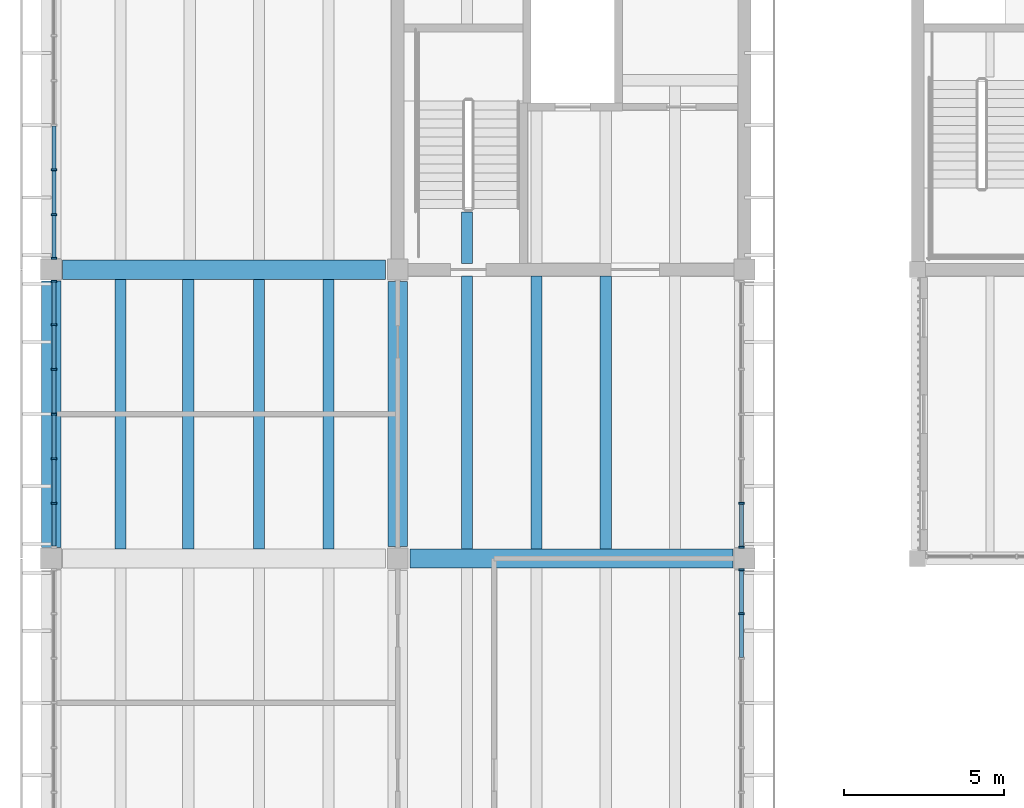
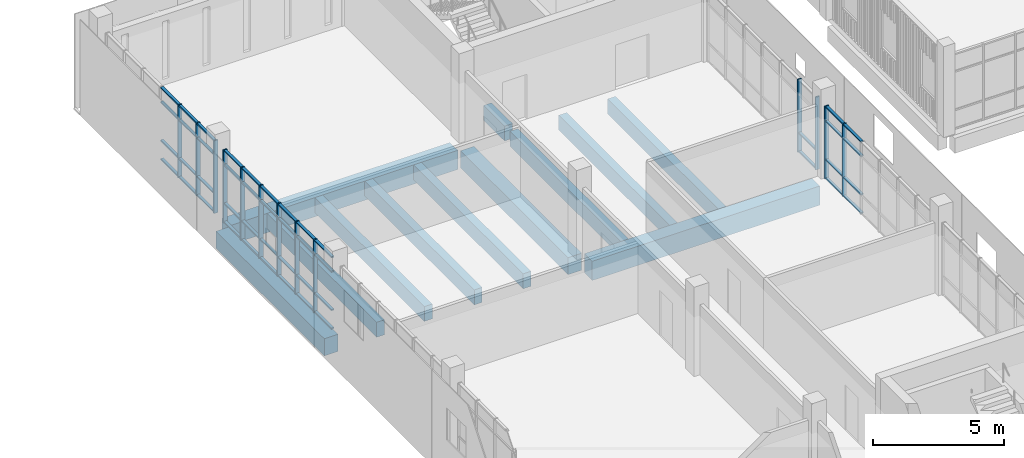
# One storey, part 20 of 92: 59 members, 12 beams, 4 elements without a shape of their own.
"""IFC4 building model written with IfcOpenShell, lengths in metres."""

from ifc_helpers import new_model, si_unit, direction, frame, origin, origin_2d, place, context, subcontext, project, spatial, rectangle, extrude, material, material_profile, profile_set, type_object, element, aggregate, save


model = new_model("IFC4")

# Units and contexts
model_context = context("Model", 3, precision=1e-05, world=origin(), true_north=direction((0.0, 1.0)))
body_context = subcontext(model_context, "Body", "Model", "MODEL_VIEW")
ifc_project = project(units=[si_unit("LENGTHUNIT", "METRE"), si_unit("AREAUNIT", "SQUARE_METRE"), si_unit("VOLUMEUNIT", "CUBIC_METRE"), si_unit("PLANEANGLEUNIT", "RADIAN"), si_unit("MASSUNIT", "GRAM", prefix="KILO")], contexts=[model_context])

# Site, building, storey
site_placement = place(None, origin())
site = spatial("IfcSite", under=ifc_project, at=site_placement, CompositionType="ELEMENT")
building_placement = place(site_placement, origin())
building = spatial("IfcBuilding", under=site, at=building_placement, Name="Merrow Basin Faculty of Sciences", CompositionType="ELEMENT")
storey_placement = place(building_placement, frame((0.0, 0.0, 4.5)))
storey = spatial("IfcBuildingStorey", under=building, at=storey_placement, Name="L01", CompositionType="ELEMENT", Elevation=4.5)

# Curtain wall, members
ifc_material_1 = material(Name="Aluminium alloy 6063", Category="aluminium")
curtain_wall_type = type_object("IfcCurtainWallType", Name="Bar unitised curtain wall 180", PredefinedType="NOTDEFINED", material=ifc_material_1)
curtain_wall_1_placement = place(storey_placement, origin())
curtain_wall_1 = element("IfcCurtainWall", 1, at=curtain_wall_1_placement, inside=storey, type_object=curtain_wall_type, Name="West curtain wall L01 6", PredefinedType="NOTDEFINED")
ifc_material_2 = material(Name="Aluminium alloy 6063", Category="aluminium")
ifc_material_profile_1 = material_profile(ifc_material_2, rectangle(XDim=0.179931640625, YDim=0.06005859375, at=origin_2d()))
ifc_profile_set_1 = profile_set([ifc_material_profile_1], Name="Aluminium alloy 6063")
member_type_1 = type_object("IfcMemberType", Name="Aluminium mullion 60x180", PredefinedType="MULLION", material=ifc_profile_set_1)
member_1_placement = place(storey_placement, frame((0.090087890625, 116.716552734375, 0.0), z_axis=(0.0, 0.0, 1.0), x_axis=(-1.0, 0.0, 0.0)))
member_1 = element("IfcMember", 2, at=member_1_placement, type_object=member_type_1, Name="CW1 mullion 2", PredefinedType="MULLION", context=body_context, shape_type="SweptSolid", body=[
    extrude(rectangle(XDim=0.179931640625, YDim=0.06005859375, at=origin_2d()), origin(), (0.0, 0.0, 1.0), 3.39990234375),
])
member_2_placement = place(storey_placement, frame((0.090087890625, 118.1083984375, 0.0), z_axis=(0.0, 0.0, 1.0), x_axis=(-1.0, 0.0, 0.0)))
member_2 = element("IfcMember", 3, at=member_2_placement, type_object=member_type_1, Name="CW1 mullion 3", PredefinedType="MULLION", context=body_context, shape_type="SweptSolid", body=[
    extrude(rectangle(XDim=0.179931640625, YDim=0.06005859375, at=origin_2d()), origin(), (0.0, 0.0, 1.0), 3.39990234375),
])
member_3_placement = place(storey_placement, frame((0.090087890625, 119.5, 0.0), z_axis=(0.0, 0.0, 1.0), x_axis=(-1.0, 0.0, 0.0)))
member_3 = element("IfcMember", 4, at=member_3_placement, type_object=member_type_1, Name="CW1 mullion 4", PredefinedType="MULLION", context=body_context, shape_type="SweptSolid", body=[
    extrude(rectangle(XDim=0.179931640625, YDim=0.06005859375, at=origin_2d()), origin(), (0.0, 0.0, 1.0), 3.39990234375),
])
member_4_placement = place(storey_placement, frame((0.090087890625, 120.8916015625, 0.0), z_axis=(0.0, 0.0, 1.0), x_axis=(-1.0, 0.0, 0.0)))
member_4 = element("IfcMember", 5, at=member_4_placement, type_object=member_type_1, Name="CW1 mullion 5", PredefinedType="MULLION", context=body_context, shape_type="SweptSolid", body=[
    extrude(rectangle(XDim=0.179931640625, YDim=0.06005859375, at=origin_2d()), origin(), (0.0, 0.0, 1.0), 3.39990234375),
])
member_5_placement = place(storey_placement, frame((0.090087890625, 122.283447265625, 0.0), z_axis=(0.0, 0.0, 1.0), x_axis=(-1.0, 0.0, 0.0)))
member_5 = element("IfcMember", 6, at=member_5_placement, type_object=member_type_1, Name="CW1 mullion 6", PredefinedType="MULLION", context=body_context, shape_type="SweptSolid", body=[
    extrude(rectangle(XDim=0.179931640625, YDim=0.06005859375, at=origin_2d()), origin(), (0.0, 0.0, 1.0), 3.39990234375),
])
member_6_placement = place(storey_placement, frame((0.090087890625, 123.64501953125, 0.0), z_axis=(0.0, 0.0, 1.0), x_axis=(-1.0, 0.0, 0.0)))
member_6 = element("IfcMember", 7, at=member_6_placement, type_object=member_type_1, Name="CW1 mullion 7", PredefinedType="MULLION", context=body_context, shape_type="SweptSolid", body=[
    extrude(rectangle(XDim=0.179931640625, YDim=0.06005859375, at=origin_2d()), origin(), (0.0, 0.0, 1.0), 3.39990234375),
])

curtain_wall_2_placement = place(storey_placement, origin())
curtain_wall_2 = element("IfcCurtainWall", 8, at=curtain_wall_2_placement, inside=storey, type_object=curtain_wall_type, Name="West curtain wall L01 7", PredefinedType="NOTDEFINED")
member_7_placement = place(storey_placement, frame((0.090087890625, 124.35498046875, 0.0), z_axis=(0.0, 0.0, 1.0), x_axis=(-1.0, 0.0, 0.0)))
member_7 = element("IfcMember", 9, at=member_7_placement, type_object=member_type_1, Name="CW1 mullion 1", PredefinedType="MULLION", context=body_context, shape_type="SweptSolid", body=[
    extrude(rectangle(XDim=0.179931640625, YDim=0.06005859375, at=origin_2d()), origin(), (0.0, 0.0, 1.0), 3.39990234375),
])
member_8_placement = place(storey_placement, frame((0.090087890625, 125.716552734375, 0.0), z_axis=(0.0, 0.0, 1.0), x_axis=(-1.0, 0.0, 0.0)))
member_8 = element("IfcMember", 10, at=member_8_placement, type_object=member_type_1, Name="CW1 mullion 2", PredefinedType="MULLION", context=body_context, shape_type="SweptSolid", body=[
    extrude(rectangle(XDim=0.179931640625, YDim=0.06005859375, at=origin_2d()), origin(), (0.0, 0.0, 1.0), 3.39990234375),
])
member_9_placement = place(storey_placement, frame((0.090087890625, 127.1083984375, 0.0), z_axis=(0.0, 0.0, 1.0), x_axis=(-1.0, 0.0, 0.0)))
member_9 = element("IfcMember", 11, at=member_9_placement, type_object=member_type_1, Name="CW1 mullion 3", PredefinedType="MULLION", context=body_context, shape_type="SweptSolid", body=[
    extrude(rectangle(XDim=0.179931640625, YDim=0.06005859375, at=origin_2d()), origin(), (0.0, 0.0, 1.0), 3.39990234375),
])

curtain_wall_3_placement = place(storey_placement, origin())
curtain_wall_3 = element("IfcCurtainWall", 12, at=curtain_wall_3_placement, inside=storey, type_object=curtain_wall_type, Name="East curtain wall L01 5", PredefinedType="NOTDEFINED")
member_10_placement = place(storey_placement, frame((21.510009765625, 113.283447265625, 0.0), z_axis=(0.0, 0.0, 1.0), x_axis=(-1.0, 0.0, 0.0)))
member_10 = element("IfcMember", 13, at=member_10_placement, type_object=member_type_1, Name="CW1 mullion 6", PredefinedType="MULLION", context=body_context, shape_type="SweptSolid", body=[
    extrude(rectangle(XDim=0.179931640625, YDim=0.06005859375, at=origin_2d()), origin(), (0.0, 0.0, 1.0), 3.39990234375),
])
member_11_placement = place(storey_placement, frame((21.510009765625, 114.64501953125, 0.0), z_axis=(0.0, 0.0, 1.0), x_axis=(-1.0, 0.0, 0.0)))
member_11 = element("IfcMember", 14, at=member_11_placement, type_object=member_type_1, Name="CW1 mullion 7", PredefinedType="MULLION", context=body_context, shape_type="SweptSolid", body=[
    extrude(rectangle(XDim=0.179931640625, YDim=0.06005859375, at=origin_2d()), origin(), (0.0, 0.0, 1.0), 3.39990234375),
])

curtain_wall_4_placement = place(storey_placement, origin())
curtain_wall_4 = element("IfcCurtainWall", 15, at=curtain_wall_4_placement, inside=storey, type_object=curtain_wall_type, Name="East curtain wall L01 6", PredefinedType="NOTDEFINED")
member_12_placement = place(storey_placement, frame((21.510009765625, 115.35498046875, 0.0), z_axis=(0.0, 0.0, 1.0), x_axis=(-1.0, 0.0, 0.0)))
member_12 = element("IfcMember", 16, at=member_12_placement, type_object=member_type_1, Name="CW1 mullion 1", PredefinedType="MULLION", context=body_context, shape_type="SweptSolid", body=[
    extrude(rectangle(XDim=0.179931640625, YDim=0.06005859375, at=origin_2d()), origin(), (0.0, 0.0, 1.0), 3.39990234375),
])
member_13_placement = place(storey_placement, frame((21.510009765625, 116.716552734375, 0.0), z_axis=(0.0, 0.0, 1.0), x_axis=(-1.0, 0.0, 0.0)))
member_13 = element("IfcMember", 17, at=member_13_placement, type_object=member_type_1, Name="CW1 mullion 2", PredefinedType="MULLION", context=body_context, shape_type="SweptSolid", body=[
    extrude(rectangle(XDim=0.179931640625, YDim=0.06005859375, at=origin_2d()), origin(), (0.0, 0.0, 1.0), 3.39990234375),
])

# Member
ifc_material_3 = material(Name="Aluminium alloy 6063", Category="aluminium")
ifc_material_profile_2 = material_profile(ifc_material_3, rectangle(XDim=0.1201171875, YDim=0.06005859375, at=origin_2d()))
ifc_profile_set_2 = profile_set([ifc_material_profile_2], Name="Aluminium alloy 6063")
member_type_2 = type_object("IfcMemberType", Name="Aluminium transom 60x120", PredefinedType="USERDEFINED", material=ifc_profile_set_2)
member_14_placement = place(storey_placement, frame((0.090087890625, 115.385009765625, 0.030029296875), z_axis=(0.0, 1.0, 0.0), x_axis=(-1.0, 0.0, 0.0)))
member_14 = element("IfcMember", 18, at=member_14_placement, type_object=member_type_2, Name="CW1 transom 1.1", ObjectType="TRANSOM", PredefinedType="USERDEFINED", context=body_context, shape_type="SweptSolid", body=[
    extrude(rectangle(XDim=0.1201171875, YDim=0.06005859375, at=origin_2d()), origin(), (0.0, 0.0, 1.0), 1.3017578125),
])

member_15_placement = place(storey_placement, frame((0.090087890625, 115.385009765625, 0.89990234375), z_axis=(0.0, 1.0, 0.0), x_axis=(-1.0, 0.0, 0.0)))
member_15 = element("IfcMember", 19, at=member_15_placement, type_object=member_type_2, Name="CW1 transom 1.2", ObjectType="TRANSOM", PredefinedType="USERDEFINED", context=body_context, shape_type="SweptSolid", body=[
    extrude(rectangle(XDim=0.1201171875, YDim=0.06005859375, at=origin_2d()), origin(), (0.0, 0.0, 1.0), 1.3017578125),
])

member_16_placement = place(storey_placement, frame((0.090087890625, 115.385009765625, 2.699951171875), z_axis=(0.0, 1.0, 0.0), x_axis=(-1.0, 0.0, 0.0)))
member_16 = element("IfcMember", 20, at=member_16_placement, type_object=member_type_2, Name="CW1 transom 1.3", ObjectType="TRANSOM", PredefinedType="USERDEFINED", context=body_context, shape_type="SweptSolid", body=[
    extrude(rectangle(XDim=0.1201171875, YDim=0.06005859375, at=origin_2d()), origin(), (0.0, 0.0, 1.0), 1.3017578125),
])

member_17_placement = place(storey_placement, frame((0.090087890625, 115.385009765625, 3.3701171875), z_axis=(0.0, 1.0, 0.0), x_axis=(-1.0, 0.0, 0.0)))
member_17 = element("IfcMember", 21, at=member_17_placement, type_object=member_type_2, Name="CW1 transom 1.4", ObjectType="TRANSOM", PredefinedType="USERDEFINED", context=body_context, shape_type="SweptSolid", body=[
    extrude(rectangle(XDim=0.1201171875, YDim=0.06005859375, at=origin_2d()), origin(), (0.0, 0.0, 1.0), 1.3017578125),
])

member_18_placement = place(storey_placement, frame((0.090087890625, 116.74658203125, 0.030029296875), z_axis=(0.0, 1.0, 0.0), x_axis=(-1.0, 0.0, 0.0)))
member_18 = element("IfcMember", 22, at=member_18_placement, type_object=member_type_2, Name="CW1 transom 2.1", ObjectType="TRANSOM", PredefinedType="USERDEFINED", context=body_context, shape_type="SweptSolid", body=[
    extrude(rectangle(XDim=0.1201171875, YDim=0.06005859375, at=origin_2d()), origin(), (0.0, 0.0, 1.0), 1.331787109375),
])

member_19_placement = place(storey_placement, frame((0.090087890625, 116.74658203125, 0.89990234375), z_axis=(0.0, 1.0, 0.0), x_axis=(-1.0, 0.0, 0.0)))
member_19 = element("IfcMember", 23, at=member_19_placement, type_object=member_type_2, Name="CW1 transom 2.2", ObjectType="TRANSOM", PredefinedType="USERDEFINED", context=body_context, shape_type="SweptSolid", body=[
    extrude(rectangle(XDim=0.1201171875, YDim=0.06005859375, at=origin_2d()), origin(), (0.0, 0.0, 1.0), 1.331787109375),
])

member_20_placement = place(storey_placement, frame((0.090087890625, 116.74658203125, 2.699951171875), z_axis=(0.0, 1.0, 0.0), x_axis=(-1.0, 0.0, 0.0)))
member_20 = element("IfcMember", 24, at=member_20_placement, type_object=member_type_2, Name="CW1 transom 2.3", ObjectType="TRANSOM", PredefinedType="USERDEFINED", context=body_context, shape_type="SweptSolid", body=[
    extrude(rectangle(XDim=0.1201171875, YDim=0.06005859375, at=origin_2d()), origin(), (0.0, 0.0, 1.0), 1.331787109375),
])

member_21_placement = place(storey_placement, frame((0.090087890625, 116.74658203125, 3.3701171875), z_axis=(0.0, 1.0, 0.0), x_axis=(-1.0, 0.0, 0.0)))
member_21 = element("IfcMember", 25, at=member_21_placement, type_object=member_type_2, Name="CW1 transom 2.4", ObjectType="TRANSOM", PredefinedType="USERDEFINED", context=body_context, shape_type="SweptSolid", body=[
    extrude(rectangle(XDim=0.1201171875, YDim=0.06005859375, at=origin_2d()), origin(), (0.0, 0.0, 1.0), 1.331787109375),
])

member_22_placement = place(storey_placement, frame((0.090087890625, 118.138427734375, 0.030029296875), z_axis=(0.0, 1.0, 0.0), x_axis=(-1.0, 0.0, 0.0)))
member_22 = element("IfcMember", 26, at=member_22_placement, type_object=member_type_2, Name="CW1 transom 3.1", ObjectType="TRANSOM", PredefinedType="USERDEFINED", context=body_context, shape_type="SweptSolid", body=[
    extrude(rectangle(XDim=0.1201171875, YDim=0.06005859375, at=origin_2d()), origin(), (0.0, 0.0, 1.0), 1.33154296875),
])

member_23_placement = place(storey_placement, frame((0.090087890625, 118.138427734375, 0.89990234375), z_axis=(0.0, 1.0, 0.0), x_axis=(-1.0, 0.0, 0.0)))
member_23 = element("IfcMember", 27, at=member_23_placement, type_object=member_type_2, Name="CW1 transom 3.2", ObjectType="TRANSOM", PredefinedType="USERDEFINED", context=body_context, shape_type="SweptSolid", body=[
    extrude(rectangle(XDim=0.1201171875, YDim=0.06005859375, at=origin_2d()), origin(), (0.0, 0.0, 1.0), 1.33154296875),
])

member_24_placement = place(storey_placement, frame((0.090087890625, 118.138427734375, 2.699951171875), z_axis=(0.0, 1.0, 0.0), x_axis=(-1.0, 0.0, 0.0)))
member_24 = element("IfcMember", 28, at=member_24_placement, type_object=member_type_2, Name="CW1 transom 3.3", ObjectType="TRANSOM", PredefinedType="USERDEFINED", context=body_context, shape_type="SweptSolid", body=[
    extrude(rectangle(XDim=0.1201171875, YDim=0.06005859375, at=origin_2d()), origin(), (0.0, 0.0, 1.0), 1.33154296875),
])

member_25_placement = place(storey_placement, frame((0.090087890625, 118.138427734375, 3.3701171875), z_axis=(0.0, 1.0, 0.0), x_axis=(-1.0, 0.0, 0.0)))
member_25 = element("IfcMember", 29, at=member_25_placement, type_object=member_type_2, Name="CW1 transom 3.4", ObjectType="TRANSOM", PredefinedType="USERDEFINED", context=body_context, shape_type="SweptSolid", body=[
    extrude(rectangle(XDim=0.1201171875, YDim=0.06005859375, at=origin_2d()), origin(), (0.0, 0.0, 1.0), 1.33154296875),
])

member_26_placement = place(storey_placement, frame((0.090087890625, 119.530029296875, 0.030029296875), z_axis=(0.0, 1.0, 0.0), x_axis=(-1.0, 0.0, 0.0)))
member_26 = element("IfcMember", 30, at=member_26_placement, type_object=member_type_2, Name="CW1 transom 4.1", ObjectType="TRANSOM", PredefinedType="USERDEFINED", context=body_context, shape_type="SweptSolid", body=[
    extrude(rectangle(XDim=0.1201171875, YDim=0.06005859375, at=origin_2d()), origin(), (0.0, 0.0, 1.0), 1.33154296875),
])

member_27_placement = place(storey_placement, frame((0.090087890625, 119.530029296875, 0.89990234375), z_axis=(0.0, 1.0, 0.0), x_axis=(-1.0, 0.0, 0.0)))
member_27 = element("IfcMember", 31, at=member_27_placement, type_object=member_type_2, Name="CW1 transom 4.2", ObjectType="TRANSOM", PredefinedType="USERDEFINED", context=body_context, shape_type="SweptSolid", body=[
    extrude(rectangle(XDim=0.1201171875, YDim=0.06005859375, at=origin_2d()), origin(), (0.0, 0.0, 1.0), 1.33154296875),
])

member_28_placement = place(storey_placement, frame((0.090087890625, 119.530029296875, 2.699951171875), z_axis=(0.0, 1.0, 0.0), x_axis=(-1.0, 0.0, 0.0)))
member_28 = element("IfcMember", 32, at=member_28_placement, type_object=member_type_2, Name="CW1 transom 4.3", ObjectType="TRANSOM", PredefinedType="USERDEFINED", context=body_context, shape_type="SweptSolid", body=[
    extrude(rectangle(XDim=0.1201171875, YDim=0.06005859375, at=origin_2d()), origin(), (0.0, 0.0, 1.0), 1.33154296875),
])

member_29_placement = place(storey_placement, frame((0.090087890625, 119.530029296875, 3.3701171875), z_axis=(0.0, 1.0, 0.0), x_axis=(-1.0, 0.0, 0.0)))
member_29 = element("IfcMember", 33, at=member_29_placement, type_object=member_type_2, Name="CW1 transom 4.4", ObjectType="TRANSOM", PredefinedType="USERDEFINED", context=body_context, shape_type="SweptSolid", body=[
    extrude(rectangle(XDim=0.1201171875, YDim=0.06005859375, at=origin_2d()), origin(), (0.0, 0.0, 1.0), 1.33154296875),
])

member_30_placement = place(storey_placement, frame((0.090087890625, 120.921630859375, 0.030029296875), z_axis=(0.0, 1.0, 0.0), x_axis=(-1.0, 0.0, 0.0)))
member_30 = element("IfcMember", 34, at=member_30_placement, type_object=member_type_2, Name="CW1 transom 5.1", ObjectType="TRANSOM", PredefinedType="USERDEFINED", context=body_context, shape_type="SweptSolid", body=[
    extrude(rectangle(XDim=0.1201171875, YDim=0.06005859375, at=origin_2d()), origin(), (0.0, 0.0, 1.0), 1.331787109375),
])

member_31_placement = place(storey_placement, frame((0.090087890625, 120.921630859375, 0.89990234375), z_axis=(0.0, 1.0, 0.0), x_axis=(-1.0, 0.0, 0.0)))
member_31 = element("IfcMember", 35, at=member_31_placement, type_object=member_type_2, Name="CW1 transom 5.2", ObjectType="TRANSOM", PredefinedType="USERDEFINED", context=body_context, shape_type="SweptSolid", body=[
    extrude(rectangle(XDim=0.1201171875, YDim=0.06005859375, at=origin_2d()), origin(), (0.0, 0.0, 1.0), 1.331787109375),
])

member_32_placement = place(storey_placement, frame((0.090087890625, 120.921630859375, 2.699951171875), z_axis=(0.0, 1.0, 0.0), x_axis=(-1.0, 0.0, 0.0)))
member_32 = element("IfcMember", 36, at=member_32_placement, type_object=member_type_2, Name="CW1 transom 5.3", ObjectType="TRANSOM", PredefinedType="USERDEFINED", context=body_context, shape_type="SweptSolid", body=[
    extrude(rectangle(XDim=0.1201171875, YDim=0.06005859375, at=origin_2d()), origin(), (0.0, 0.0, 1.0), 1.331787109375),
])

member_33_placement = place(storey_placement, frame((0.090087890625, 120.921630859375, 3.3701171875), z_axis=(0.0, 1.0, 0.0), x_axis=(-1.0, 0.0, 0.0)))
member_33 = element("IfcMember", 37, at=member_33_placement, type_object=member_type_2, Name="CW1 transom 5.4", ObjectType="TRANSOM", PredefinedType="USERDEFINED", context=body_context, shape_type="SweptSolid", body=[
    extrude(rectangle(XDim=0.1201171875, YDim=0.06005859375, at=origin_2d()), origin(), (0.0, 0.0, 1.0), 1.331787109375),
])

member_34_placement = place(storey_placement, frame((0.090087890625, 122.313232421875, 0.030029296875), z_axis=(0.0, 1.0, 0.0), x_axis=(-1.0, 0.0, 0.0)))
member_34 = element("IfcMember", 38, at=member_34_placement, type_object=member_type_2, Name="CW1 transom 6.1", ObjectType="TRANSOM", PredefinedType="USERDEFINED", context=body_context, shape_type="SweptSolid", body=[
    extrude(rectangle(XDim=0.1201171875, YDim=0.06005859375, at=origin_2d()), origin(), (0.0, 0.0, 1.0), 1.3017578125),
])

member_35_placement = place(storey_placement, frame((0.090087890625, 122.313232421875, 0.89990234375), z_axis=(0.0, 1.0, 0.0), x_axis=(-1.0, 0.0, 0.0)))
member_35 = element("IfcMember", 39, at=member_35_placement, type_object=member_type_2, Name="CW1 transom 6.2", ObjectType="TRANSOM", PredefinedType="USERDEFINED", context=body_context, shape_type="SweptSolid", body=[
    extrude(rectangle(XDim=0.1201171875, YDim=0.06005859375, at=origin_2d()), origin(), (0.0, 0.0, 1.0), 1.3017578125),
])

member_36_placement = place(storey_placement, frame((0.090087890625, 122.313232421875, 2.699951171875), z_axis=(0.0, 1.0, 0.0), x_axis=(-1.0, 0.0, 0.0)))
member_36 = element("IfcMember", 40, at=member_36_placement, type_object=member_type_2, Name="CW1 transom 6.3", ObjectType="TRANSOM", PredefinedType="USERDEFINED", context=body_context, shape_type="SweptSolid", body=[
    extrude(rectangle(XDim=0.1201171875, YDim=0.06005859375, at=origin_2d()), origin(), (0.0, 0.0, 1.0), 1.3017578125),
])

member_37_placement = place(storey_placement, frame((0.090087890625, 122.313232421875, 3.3701171875), z_axis=(0.0, 1.0, 0.0), x_axis=(-1.0, 0.0, 0.0)))
member_37 = element("IfcMember", 41, at=member_37_placement, type_object=member_type_2, Name="CW1 transom 6.4", ObjectType="TRANSOM", PredefinedType="USERDEFINED", context=body_context, shape_type="SweptSolid", body=[
    extrude(rectangle(XDim=0.1201171875, YDim=0.06005859375, at=origin_2d()), origin(), (0.0, 0.0, 1.0), 1.3017578125),
])

aggregate(curtain_wall_1, [member_1, member_2, member_3, member_4, member_5, member_6, member_14, member_15, member_16, member_17, member_18, member_19, member_20, member_21, member_22, member_23, member_24, member_25, member_26, member_27, member_28, member_29, member_30, member_31, member_32, member_33, member_34, member_35, member_36, member_37])

member_38_placement = place(storey_placement, frame((0.090087890625, 124.385009765625, 0.030029296875), z_axis=(0.0, 1.0, 0.0), x_axis=(-1.0, 0.0, 0.0)))
member_38 = element("IfcMember", 42, at=member_38_placement, type_object=member_type_2, Name="CW1 transom 1.1", ObjectType="TRANSOM", PredefinedType="USERDEFINED", context=body_context, shape_type="SweptSolid", body=[
    extrude(rectangle(XDim=0.1201171875, YDim=0.06005859375, at=origin_2d()), origin(), (0.0, 0.0, 1.0), 1.3017578125),
])

member_39_placement = place(storey_placement, frame((0.090087890625, 124.385009765625, 0.89990234375), z_axis=(0.0, 1.0, 0.0), x_axis=(-1.0, 0.0, 0.0)))
member_39 = element("IfcMember", 43, at=member_39_placement, type_object=member_type_2, Name="CW1 transom 1.2", ObjectType="TRANSOM", PredefinedType="USERDEFINED", context=body_context, shape_type="SweptSolid", body=[
    extrude(rectangle(XDim=0.1201171875, YDim=0.06005859375, at=origin_2d()), origin(), (0.0, 0.0, 1.0), 1.3017578125),
])

member_40_placement = place(storey_placement, frame((0.090087890625, 124.385009765625, 2.699951171875), z_axis=(0.0, 1.0, 0.0), x_axis=(-1.0, 0.0, 0.0)))
member_40 = element("IfcMember", 44, at=member_40_placement, type_object=member_type_2, Name="CW1 transom 1.3", ObjectType="TRANSOM", PredefinedType="USERDEFINED", context=body_context, shape_type="SweptSolid", body=[
    extrude(rectangle(XDim=0.1201171875, YDim=0.06005859375, at=origin_2d()), origin(), (0.0, 0.0, 1.0), 1.3017578125),
])

member_41_placement = place(storey_placement, frame((0.090087890625, 124.385009765625, 3.3701171875), z_axis=(0.0, 1.0, 0.0), x_axis=(-1.0, 0.0, 0.0)))
member_41 = element("IfcMember", 45, at=member_41_placement, type_object=member_type_2, Name="CW1 transom 1.4", ObjectType="TRANSOM", PredefinedType="USERDEFINED", context=body_context, shape_type="SweptSolid", body=[
    extrude(rectangle(XDim=0.1201171875, YDim=0.06005859375, at=origin_2d()), origin(), (0.0, 0.0, 1.0), 1.3017578125),
])

member_42_placement = place(storey_placement, frame((0.090087890625, 125.74658203125, 0.030029296875), z_axis=(0.0, 1.0, 0.0), x_axis=(-1.0, 0.0, 0.0)))
member_42 = element("IfcMember", 46, at=member_42_placement, type_object=member_type_2, Name="CW1 transom 2.1", ObjectType="TRANSOM", PredefinedType="USERDEFINED", context=body_context, shape_type="SweptSolid", body=[
    extrude(rectangle(XDim=0.1201171875, YDim=0.06005859375, at=origin_2d()), origin(), (0.0, 0.0, 1.0), 1.331787109375),
])

member_43_placement = place(storey_placement, frame((0.090087890625, 125.74658203125, 0.89990234375), z_axis=(0.0, 1.0, 0.0), x_axis=(-1.0, 0.0, 0.0)))
member_43 = element("IfcMember", 47, at=member_43_placement, type_object=member_type_2, Name="CW1 transom 2.2", ObjectType="TRANSOM", PredefinedType="USERDEFINED", context=body_context, shape_type="SweptSolid", body=[
    extrude(rectangle(XDim=0.1201171875, YDim=0.06005859375, at=origin_2d()), origin(), (0.0, 0.0, 1.0), 1.331787109375),
])

member_44_placement = place(storey_placement, frame((0.090087890625, 125.74658203125, 2.699951171875), z_axis=(0.0, 1.0, 0.0), x_axis=(-1.0, 0.0, 0.0)))
member_44 = element("IfcMember", 48, at=member_44_placement, type_object=member_type_2, Name="CW1 transom 2.3", ObjectType="TRANSOM", PredefinedType="USERDEFINED", context=body_context, shape_type="SweptSolid", body=[
    extrude(rectangle(XDim=0.1201171875, YDim=0.06005859375, at=origin_2d()), origin(), (0.0, 0.0, 1.0), 1.331787109375),
])

member_45_placement = place(storey_placement, frame((0.090087890625, 125.74658203125, 3.3701171875), z_axis=(0.0, 1.0, 0.0), x_axis=(-1.0, 0.0, 0.0)))
member_45 = element("IfcMember", 49, at=member_45_placement, type_object=member_type_2, Name="CW1 transom 2.4", ObjectType="TRANSOM", PredefinedType="USERDEFINED", context=body_context, shape_type="SweptSolid", body=[
    extrude(rectangle(XDim=0.1201171875, YDim=0.06005859375, at=origin_2d()), origin(), (0.0, 0.0, 1.0), 1.331787109375),
])

member_46_placement = place(storey_placement, frame((0.090087890625, 127.138427734375, 0.030029296875), z_axis=(0.0, 1.0, 0.0), x_axis=(-1.0, 0.0, 0.0)))
member_46 = element("IfcMember", 50, at=member_46_placement, type_object=member_type_2, Name="CW1 transom 3.1", ObjectType="TRANSOM", PredefinedType="USERDEFINED", context=body_context, shape_type="SweptSolid", body=[
    extrude(rectangle(XDim=0.1201171875, YDim=0.06005859375, at=origin_2d()), origin(), (0.0, 0.0, 1.0), 1.33154296875),
])

member_47_placement = place(storey_placement, frame((0.090087890625, 127.138427734375, 0.89990234375), z_axis=(0.0, 1.0, 0.0), x_axis=(-1.0, 0.0, 0.0)))
member_47 = element("IfcMember", 51, at=member_47_placement, type_object=member_type_2, Name="CW1 transom 3.2", ObjectType="TRANSOM", PredefinedType="USERDEFINED", context=body_context, shape_type="SweptSolid", body=[
    extrude(rectangle(XDim=0.1201171875, YDim=0.06005859375, at=origin_2d()), origin(), (0.0, 0.0, 1.0), 1.33154296875),
])

member_48_placement = place(storey_placement, frame((0.090087890625, 127.138427734375, 2.699951171875), z_axis=(0.0, 1.0, 0.0), x_axis=(-1.0, 0.0, 0.0)))
member_48 = element("IfcMember", 52, at=member_48_placement, type_object=member_type_2, Name="CW1 transom 3.3", ObjectType="TRANSOM", PredefinedType="USERDEFINED", context=body_context, shape_type="SweptSolid", body=[
    extrude(rectangle(XDim=0.1201171875, YDim=0.06005859375, at=origin_2d()), origin(), (0.0, 0.0, 1.0), 1.33154296875),
])

member_49_placement = place(storey_placement, frame((0.090087890625, 127.138427734375, 3.3701171875), z_axis=(0.0, 1.0, 0.0), x_axis=(-1.0, 0.0, 0.0)))
member_49 = element("IfcMember", 53, at=member_49_placement, type_object=member_type_2, Name="CW1 transom 3.4", ObjectType="TRANSOM", PredefinedType="USERDEFINED", context=body_context, shape_type="SweptSolid", body=[
    extrude(rectangle(XDim=0.1201171875, YDim=0.06005859375, at=origin_2d()), origin(), (0.0, 0.0, 1.0), 1.33154296875),
])

aggregate(curtain_wall_2, [member_7, member_8, member_9, member_38, member_39, member_40, member_41, member_42, member_43, member_44, member_45, member_46, member_47, member_48, member_49])

member_50_placement = place(storey_placement, frame((21.510009765625, 111.921630859375, 0.030029296875), z_axis=(0.0, 1.0, 0.0), x_axis=(-1.0, 0.0, 0.0)))
member_50 = element("IfcMember", 54, at=member_50_placement, type_object=member_type_2, Name="CW1 transom 5.1", ObjectType="TRANSOM", PredefinedType="USERDEFINED", context=body_context, shape_type="SweptSolid", body=[
    extrude(rectangle(XDim=0.1201171875, YDim=0.06005859375, at=origin_2d()), origin(), (0.0, 0.0, 1.0), 1.331787109375),
])

member_51_placement = place(storey_placement, frame((21.510009765625, 111.921630859375, 0.89990234375), z_axis=(0.0, 1.0, 0.0), x_axis=(-1.0, 0.0, 0.0)))
member_51 = element("IfcMember", 55, at=member_51_placement, type_object=member_type_2, Name="CW1 transom 5.2", ObjectType="TRANSOM", PredefinedType="USERDEFINED", context=body_context, shape_type="SweptSolid", body=[
    extrude(rectangle(XDim=0.1201171875, YDim=0.06005859375, at=origin_2d()), origin(), (0.0, 0.0, 1.0), 1.331787109375),
])

member_52_placement = place(storey_placement, frame((21.510009765625, 111.921630859375, 2.699951171875), z_axis=(0.0, 1.0, 0.0), x_axis=(-1.0, 0.0, 0.0)))
member_52 = element("IfcMember", 56, at=member_52_placement, type_object=member_type_2, Name="CW1 transom 5.3", ObjectType="TRANSOM", PredefinedType="USERDEFINED", context=body_context, shape_type="SweptSolid", body=[
    extrude(rectangle(XDim=0.1201171875, YDim=0.06005859375, at=origin_2d()), origin(), (0.0, 0.0, 1.0), 1.331787109375),
])

member_53_placement = place(storey_placement, frame((21.510009765625, 111.921630859375, 3.3701171875), z_axis=(0.0, 1.0, 0.0), x_axis=(-1.0, 0.0, 0.0)))
member_53 = element("IfcMember", 57, at=member_53_placement, type_object=member_type_2, Name="CW1 transom 5.4", ObjectType="TRANSOM", PredefinedType="USERDEFINED", context=body_context, shape_type="SweptSolid", body=[
    extrude(rectangle(XDim=0.1201171875, YDim=0.06005859375, at=origin_2d()), origin(), (0.0, 0.0, 1.0), 1.331787109375),
])

member_54_placement = place(storey_placement, frame((21.510009765625, 113.313232421875, 0.030029296875), z_axis=(0.0, 1.0, 0.0), x_axis=(-1.0, 0.0, 0.0)))
member_54 = element("IfcMember", 58, at=member_54_placement, type_object=member_type_2, Name="CW1 transom 6.1", ObjectType="TRANSOM", PredefinedType="USERDEFINED", context=body_context, shape_type="SweptSolid", body=[
    extrude(rectangle(XDim=0.1201171875, YDim=0.06005859375, at=origin_2d()), origin(), (0.0, 0.0, 1.0), 1.3017578125),
])

member_55_placement = place(storey_placement, frame((21.510009765625, 113.313232421875, 0.89990234375), z_axis=(0.0, 1.0, 0.0), x_axis=(-1.0, 0.0, 0.0)))
member_55 = element("IfcMember", 59, at=member_55_placement, type_object=member_type_2, Name="CW1 transom 6.2", ObjectType="TRANSOM", PredefinedType="USERDEFINED", context=body_context, shape_type="SweptSolid", body=[
    extrude(rectangle(XDim=0.1201171875, YDim=0.06005859375, at=origin_2d()), origin(), (0.0, 0.0, 1.0), 1.3017578125),
])

member_56_placement = place(storey_placement, frame((21.510009765625, 113.313232421875, 2.699951171875), z_axis=(0.0, 1.0, 0.0), x_axis=(-1.0, 0.0, 0.0)))
member_56 = element("IfcMember", 60, at=member_56_placement, type_object=member_type_2, Name="CW1 transom 6.3", ObjectType="TRANSOM", PredefinedType="USERDEFINED", context=body_context, shape_type="SweptSolid", body=[
    extrude(rectangle(XDim=0.1201171875, YDim=0.06005859375, at=origin_2d()), origin(), (0.0, 0.0, 1.0), 1.3017578125),
])

member_57_placement = place(storey_placement, frame((21.510009765625, 113.313232421875, 3.3701171875), z_axis=(0.0, 1.0, 0.0), x_axis=(-1.0, 0.0, 0.0)))
member_57 = element("IfcMember", 61, at=member_57_placement, type_object=member_type_2, Name="CW1 transom 6.4", ObjectType="TRANSOM", PredefinedType="USERDEFINED", context=body_context, shape_type="SweptSolid", body=[
    extrude(rectangle(XDim=0.1201171875, YDim=0.06005859375, at=origin_2d()), origin(), (0.0, 0.0, 1.0), 1.3017578125),
])

aggregate(curtain_wall_3, [member_10, member_11, member_50, member_51, member_52, member_53, member_54, member_55, member_56, member_57])

member_58_placement = place(storey_placement, frame((21.510009765625, 115.385009765625, 0.030029296875), z_axis=(0.0, 1.0, 0.0), x_axis=(-1.0, 0.0, 0.0)))
member_58 = element("IfcMember", 62, at=member_58_placement, type_object=member_type_2, Name="CW1 transom 1.1", ObjectType="TRANSOM", PredefinedType="USERDEFINED", context=body_context, shape_type="SweptSolid", body=[
    extrude(rectangle(XDim=0.1201171875, YDim=0.06005859375, at=origin_2d()), origin(), (0.0, 0.0, 1.0), 1.3017578125),
])

member_59_placement = place(storey_placement, frame((21.510009765625, 115.385009765625, 0.89990234375), z_axis=(0.0, 1.0, 0.0), x_axis=(-1.0, 0.0, 0.0)))
member_59 = element("IfcMember", 63, at=member_59_placement, type_object=member_type_2, Name="CW1 transom 1.2", ObjectType="TRANSOM", PredefinedType="USERDEFINED", context=body_context, shape_type="SweptSolid", body=[
    extrude(rectangle(XDim=0.1201171875, YDim=0.06005859375, at=origin_2d()), origin(), (0.0, 0.0, 1.0), 1.3017578125),
])

aggregate(curtain_wall_4, [member_12, member_13, member_58, member_59])

# Beams
ifc_material_4 = material(Name="Concrete C40/50", Category="concrete")
ifc_material_profile_3 = material_profile(ifc_material_4, rectangle(XDim=0.60009765625, YDim=0.800048828125, at=origin_2d()))
ifc_profile_set_3 = profile_set([ifc_material_profile_3], Name="Concrete C40/50")
beam_type_1 = type_object("IfcBeamType", Name="Beam RC600x800 C40/50", PredefinedType="BEAM", material=ifc_profile_set_3)
beam_1_placement = place(storey_placement, frame((0.0, 115.35009765625, -0.699951171875), z_axis=(0.0, 1.0, 0.0), x_axis=(-1.0, 0.0, 0.0)))
element("IfcBeam", 64, at=beam_1_placement, inside=storey, type_object=beam_type_1, Name="B2 L01 020", PredefinedType="BEAM", context=body_context, shape_type="SweptSolid", body=[
    extrude(rectangle(XDim=0.60009765625, YDim=0.800048828125, at=origin_2d()), origin(), (0.0, 0.0, 1.0), 8.2998046875),
])
beam_2_placement = place(storey_placement, frame((10.800048828125, 115.375, -0.699951171875), z_axis=(0.0, 1.0, 0.0), x_axis=(-1.0, 0.0, 0.0)))
element("IfcBeam", 65, at=beam_2_placement, inside=storey, type_object=beam_type_1, Name="B2 L01 027", PredefinedType="BEAM", context=body_context, shape_type="SweptSolid", body=[
    extrude(rectangle(XDim=0.60009765625, YDim=0.800048828125, at=origin_2d()), origin(), (0.0, 0.0, 1.0), 8.25),
])
ifc_material_5 = material(Name="Concrete C40/50", Category="concrete")
ifc_material_profile_4 = material_profile(ifc_material_5, rectangle(XDim=0.60009765625, YDim=0.89990234375, at=origin_2d()))
ifc_profile_set_4 = profile_set([ifc_material_profile_4], Name="Concrete C40/50")
beam_type_2 = type_object("IfcBeamType", Name="Beam RC600x900 C40/50", PredefinedType="BEAM", material=ifc_profile_set_4)
for number, where, z_axis, x_axis, name in (
    (66, (11.175048828125, 115.0, -0.75), (1.0, 0.0, 0.0), (0.0, 1.0, 0.0), "B1 L01 012"),
    (67, (0.35009765625, 124.0, -0.75), (1.0, 0.0, 0.0), (0.0, 1.0, 0.0), "B1 L01 013"),
):
    element("IfcBeam", number, at=place(storey_placement, frame(where, z_axis=z_axis, x_axis=x_axis)), inside=storey, type_object=beam_type_2, Name=name, PredefinedType="BEAM", context=body_context, shape_type="SweptSolid", body=[
        extrude(rectangle(XDim=0.60009765625, YDim=0.89990234375, at=origin_2d()), origin(), (0.0, 0.0, 1.0), 10.074951171875),
    ])
ifc_material_6 = material(Name="Concrete C40/50", Category="concrete")
ifc_material_profile_5 = material_profile(ifc_material_6, rectangle(XDim=0.35009765625, YDim=0.699951171875, at=origin_2d()))
ifc_profile_set_5 = profile_set([ifc_material_profile_5], Name="Concrete C40/50")
beam_type_3 = type_object("IfcBeamType", Name="Laboratory plant-floor joist RC350x700 C40/50", PredefinedType="BEAM", material=ifc_profile_set_5)
for number, where, z_axis, x_axis, name in (
    (68, (2.159912109375, 115.300048828125, -0.64990234375), (0.0, 1.0, 0.0), (-1.0, 0.0, 0.0), "JP1 L01 059"),
    (69, (4.27490234375, 115.300048828125, -0.64990234375), (0.0, 1.0, 0.0), (-1.0, 0.0, 0.0), "JP1 L01 060"),
    (70, (6.47998046875, 115.300048828125, -0.64990234375), (0.0, 1.0, 0.0), (-1.0, 0.0, 0.0), "JP1 L01 061"),
    (71, (8.639892578125, 115.300048828125, -0.64990234375), (0.0, 1.0, 0.0), (-1.0, 0.0, 0.0), "JP1 L01 062"),
):
    element("IfcBeam", number, at=place(storey_placement, frame(where, z_axis=z_axis, x_axis=x_axis)), inside=storey, type_object=beam_type_3, Name=name, PredefinedType="BEAM", context=body_context, shape_type="SweptSolid", body=[
        extrude(rectangle(XDim=0.35009765625, YDim=0.699951171875, at=origin_2d()), origin(), (0.0, 0.0, 1.0), 8.39990234375),
    ])
for number, where, z_axis, x_axis, name in (
    (72, (12.9599609375, 115.300048828125, -0.64990234375), (0.0, 1.0, 0.0), (-1.0, 0.0, 0.0), "JP1 L01 093"),
    (73, (15.1201171875, 115.300048828125, -0.64990234375), (0.0, 1.0, 0.0), (-1.0, 0.0, 0.0), "JP1 L01 094"),
    (74, (17.280029296875, 115.300048828125, -0.64990234375), (0.0, 1.0, 0.0), (-1.0, 0.0, 0.0), "JP1 L01 095"),
):
    element("IfcBeam", number, at=place(storey_placement, frame(where, z_axis=z_axis, x_axis=x_axis)), inside=storey, type_object=beam_type_3, Name=name, PredefinedType="BEAM", context=body_context, shape_type="SweptSolid", body=[
        extrude(rectangle(XDim=0.35009765625, YDim=0.699951171875, at=origin_2d()), origin(), (0.0, 0.0, 1.0), 8.5),
    ])
beam_3_placement = place(storey_placement, frame((12.9599609375, 124.199951171875, -0.64990234375), z_axis=(0.0, 1.0, 0.0), x_axis=(-1.0, 0.0, 0.0)))
element("IfcBeam", 75, at=beam_3_placement, inside=storey, type_object=beam_type_3, Name="JP1 L01 097", PredefinedType="BEAM", context=body_context, shape_type="SweptSolid", body=[
    extrude(rectangle(XDim=0.35009765625, YDim=0.699951171875, at=origin_2d()), origin(), (0.0, 0.0, 1.0), 1.60009765625),
])

save(model, "model.ifc")
